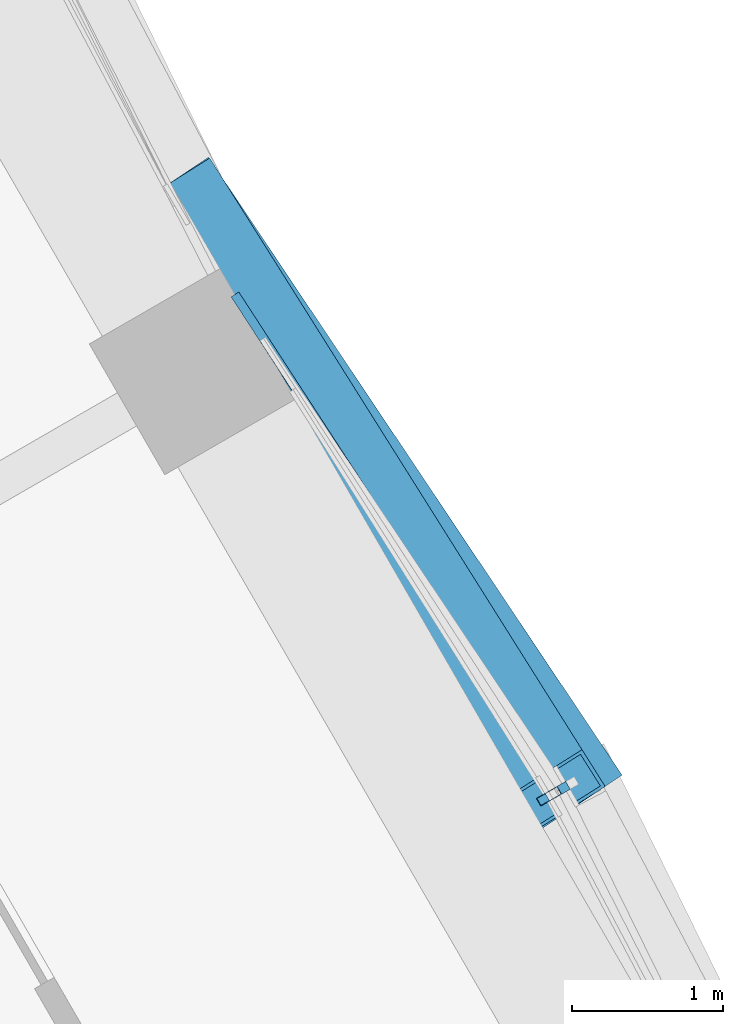
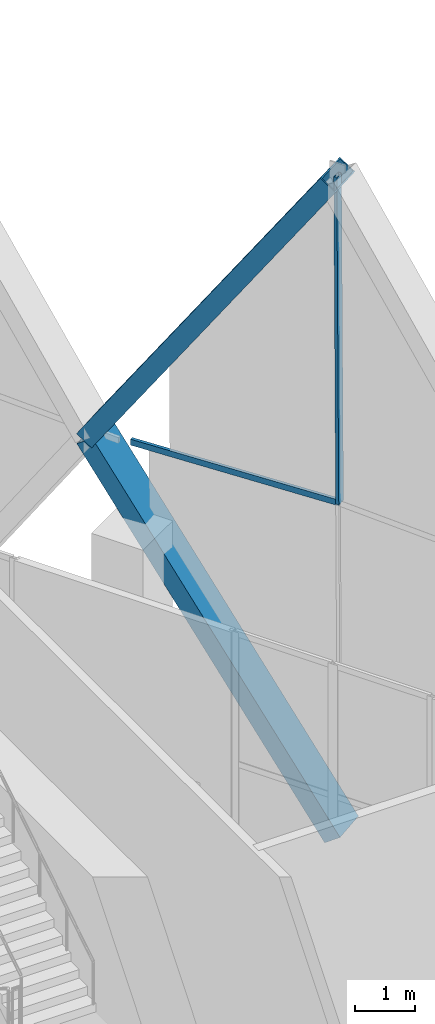
# One storey, part 28 of 43: 4 members, 2 elements without a shape of their own.
"""IFC4 building model written with IfcOpenShell, lengths in metres."""

from ifc_helpers import new_model, si_unit, direction, frame, origin, origin_2d, place, context, subcontext, project, spatial, hollow_rectangle, extrude, material, material_profile, profile_set, type_object, element, aggregate, save


model = new_model("IFC4")

# Units and contexts
model_context = context("Model", 3, precision=1e-05, world=origin(), true_north=direction((0.0, 1.0)))
body_context = subcontext(model_context, "Body", "Model", "MODEL_VIEW")
ifc_project = project(units=[si_unit("LENGTHUNIT", "METRE"), si_unit("AREAUNIT", "SQUARE_METRE"), si_unit("VOLUMEUNIT", "CUBIC_METRE"), si_unit("PLANEANGLEUNIT", "RADIAN"), si_unit("MASSUNIT", "GRAM", prefix="KILO")], contexts=[model_context])

# Site, building, storey
site_placement = place(None, origin())
site = spatial("IfcSite", under=ifc_project, at=site_placement, CompositionType="ELEMENT")
building_placement = place(site_placement, origin())
building = spatial("IfcBuilding", under=site, at=building_placement, Name="Ostrander Bayou Hotel Tower", CompositionType="ELEMENT")
storey_placement = place(building_placement, frame((0.0, 0.0, 151.0)))
storey = spatial("IfcBuildingStorey", under=building, at=storey_placement, Name="L37", CompositionType="ELEMENT", Elevation=151.0)

# Curtain wall, member
ifc_material_1 = material(Name="Aluminium and clear glass", Category="aluminium")
curtain_wall_type = type_object("IfcCurtainWallType", Name="CW-LAT lattice glazing", PredefinedType="NOTDEFINED", material=ifc_material_1)
curtain_wall_1_placement = place(storey_placement, origin())
curtain_wall_1 = element("IfcCurtainWall", 1, at=curtain_wall_1_placement, inside=storey, type_object=curtain_wall_type, Name="CW-LAT L37 NE 1", PredefinedType="NOTDEFINED")
ifc_material_2 = material(Name="Aluminium", Category="aluminium")
ifc_material_profile_1 = material_profile(ifc_material_2, hollow_rectangle(XDim=0.06005859375, YDim=0.159912109375, WallThickness=0.00390625, at=origin_2d()))
ifc_profile_set_1 = profile_set([ifc_material_profile_1], Name="Aluminium")
member_type_1 = type_object("IfcMemberType", Name="CW-LA mullion 60 x 160 mm", PredefinedType="MULLION", material=ifc_profile_set_1)
member_1_placement = place(storey_placement, frame((16.45849609375, 9.502197265625, 6.14990234375), z_axis=(-0.008426974476, -0.004846414505, 0.999952748067), x_axis=(0.498541023162, -0.866866107438, 0.0)))
member_1 = element("IfcMember", 2, at=member_1_placement, type_object=member_type_1, Name="CW-LAT mullion 5", PredefinedType="MULLION", context=body_context, shape_type="SweptSolid", body=[
    extrude(hollow_rectangle(XDim=0.06005859375, YDim=0.159912109375, WallThickness=0.00390625, at=origin_2d()), origin(), (0.0, 0.0, 1.0), 6.750244140625),
])
aggregate(curtain_wall_1, [member_1])

curtain_wall_2_placement = place(storey_placement, origin())
curtain_wall_2 = element("IfcCurtainWall", 3, at=curtain_wall_2_placement, inside=storey, type_object=curtain_wall_type, Name="CW-LAT L37 NE 2", PredefinedType="NOTDEFINED")
ifc_material_3 = material(Name="Aluminium", Category="aluminium")
ifc_material_profile_2 = material_profile(ifc_material_3, hollow_rectangle(XDim=0.06005859375, YDim=0.1201171875, WallThickness=0.00390625, at=origin_2d()))
ifc_profile_set_2 = profile_set([ifc_material_profile_2], Name="Aluminium")
member_type_2 = type_object("IfcMemberType", Name="CW-LA transom 60 x 120 mm", PredefinedType="USERDEFINED", material=ifc_profile_set_2)
member_2_placement = place(storey_placement, frame((16.45849609375, 9.502197265625, 6.14990234375), z_axis=(-0.544480989816, 0.838773182529, 0.0), x_axis=(-0.838773182529, -0.544480989816, 0.0)))
member_2 = element("IfcMember", 4, at=member_2_placement, type_object=member_type_2, Name="CW-LAT transom 7", ObjectType="TRANSOM", PredefinedType="USERDEFINED", context=body_context, shape_type="SweptSolid", body=[
    extrude(hollow_rectangle(XDim=0.06005859375, YDim=0.1201171875, WallThickness=0.00390625, at=origin_2d()), origin(), (0.0, 0.0, 1.0), 3.9248046875),
])
aggregate(curtain_wall_2, [member_2])

# Members
ifc_material_4 = material(Name="Steel ASTM A572 Gr 50", Category="steel")
ifc_material_profile_3 = material_profile(ifc_material_4, hollow_rectangle(XDim=0.699951171875, YDim=0.35009765625, WallThickness=0.02490234375, at=origin_2d()))
ifc_profile_set_3 = profile_set([ifc_material_profile_3], Name="Steel ASTM A572 Gr 50")
member_type_3 = type_object("IfcMemberType", Name="LT1 lattice member box 700 x 350 x 25 mm", PredefinedType="BRACE", material=ifc_profile_set_3)
member_3_placement = place(storey_placement, frame((13.93505859375, 13.3896484375, 6.14990234375), z_axis=(0.315022699045, -0.470656074491, -0.824162337547), x_axis=(0.831028608825, 0.556229674968, 0.0)))
element("IfcMember", 5, at=member_3_placement, inside=storey, type_object=member_type_3, Name="LT1 L37 NE 5", PredefinedType="BRACE", context=body_context, shape_type="SweptSolid", body=[
    extrude(hollow_rectangle(XDim=0.699951171875, YDim=0.35009765625, WallThickness=0.02490234375, at=origin_2d()), origin(), (0.0, 0.0, 1.0), 8.190185546875),
])
member_4_placement = place(storey_placement, frame((13.93505859375, 13.3896484375, 6.14990234375), z_axis=(0.30130571016, -0.478874174804, 0.824557089431), x_axis=(0.84639828836, 0.532550408376, 0.0)))
element("IfcMember", 6, at=member_4_placement, inside=storey, type_object=member_type_3, Name="LT1 L37 NE 6", PredefinedType="BRACE", context=body_context, shape_type="SweptSolid", body=[
    extrude(hollow_rectangle(XDim=0.699951171875, YDim=0.35009765625, WallThickness=0.02490234375, at=origin_2d()), origin(), (0.0, 0.0, 1.0), 8.186279296875),
])

save(model, "model.ifc")
